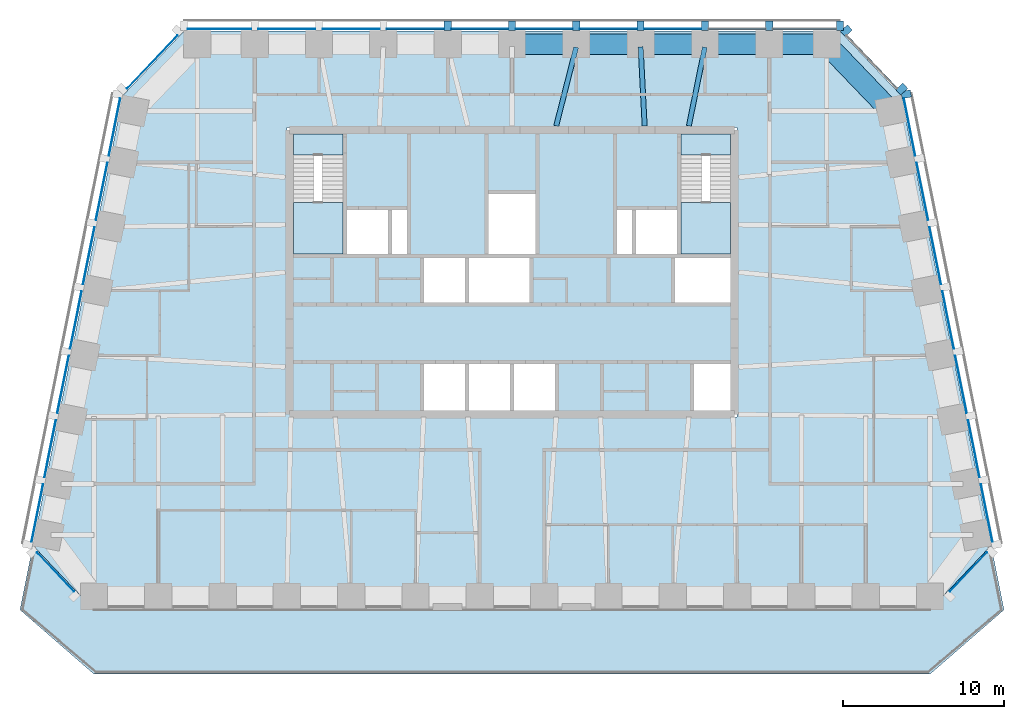
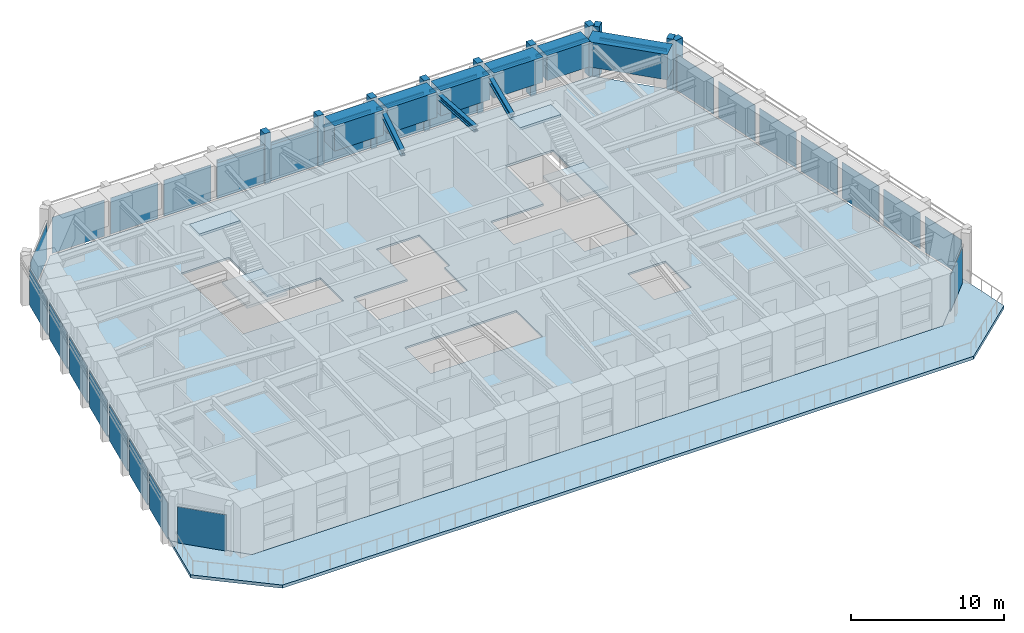
# One storey, part 3 of 11: 25 plates, 18 members, 9 beams, 6 slabs, 9 elements without a shape of their own.
"""IFC4 building model written with IfcOpenShell, lengths in metres."""

from ifc_helpers import new_model, si_unit, direction, frame, origin, origin_2d, place, context, subcontext, project, spatial, polyline, rectangle, i_section, outline, extrude, material, layer, layer_set, material_profile, profile_set, type_object, element, aggregate, save


model = new_model("IFC4")

# Units and contexts
model_context = context("Model", 3, precision=1e-05, world=origin(), true_north=direction((0.0, 1.0)))
body_context = subcontext(model_context, "Body", "Model", "MODEL_VIEW")
ifc_project = project(units=[si_unit("LENGTHUNIT", "METRE"), si_unit("AREAUNIT", "SQUARE_METRE"), si_unit("VOLUMEUNIT", "CUBIC_METRE"), si_unit("PLANEANGLEUNIT", "RADIAN"), si_unit("MASSUNIT", "GRAM", prefix="KILO")], contexts=[model_context])

# Site, building, storey
site_placement = place(None, origin())
site = spatial("IfcSite", under=ifc_project, at=site_placement, CompositionType="ELEMENT")
building_placement = place(site_placement, origin())
building = spatial("IfcBuilding", under=site, at=building_placement, Name="Isbrekke Arena Tower", CompositionType="ELEMENT")
storey_placement = place(building_placement, frame((0.0, 0.0, 284.0)))
storey = spatial("IfcBuildingStorey", under=building, at=storey_placement, Name="L66", CompositionType="ELEMENT", Elevation=284.0)

# Beams
ifc_material_1 = material(Name="Steel S355", Category="steel")
ifc_material_profile_1 = material_profile(ifc_material_1, i_section(OverallWidth=0.306884765625, OverallDepth=0.431884765625, WebThickness=0.02099609375, FlangeThickness=0.0400390625, FilletRadius=0.027099609375, at=origin_2d()), Name="HEM 400")
ifc_profile_set_1 = profile_set([ifc_material_profile_1], Name="Steel S355")
beam_type_1 = type_object("IfcBeamType", Name="B6 HEM 400", PredefinedType="BEAM", material=ifc_profile_set_1)
beam_1_placement = place(storey_placement, frame((11.993896484375, 28.9951171875, 3.634033203125), z_axis=(-0.198982177337, -0.980003108721, 0.0), x_axis=(0.980003108721, -0.198982177337, 0.0)))
element("IfcBeam", 1, at=beam_1_placement, inside=storey, type_object=beam_type_1, Name="B6 beam N-N03 L66", PredefinedType="BEAM", context=body_context, shape_type="SweptSolid", body=[
    extrude(i_section(OverallWidth=0.306884765625, OverallDepth=0.431884765625, WebThickness=0.02099609375, FlangeThickness=0.0400390625, FilletRadius=0.027099609375, at=origin_2d()), origin(), (0.0, 0.0, 1.0), 4.994873046875),
])
beam_2_placement = place(storey_placement, frame((8.00048828125, 29.017333984375, 3.634033203125), z_axis=(0.050677067868, -0.998715091902, 0.0), x_axis=(0.998715091902, 0.050677067868, 0.0)))
element("IfcBeam", 2, at=beam_2_placement, inside=storey, type_object=beam_type_1, Name="B6 beam N-N04 L66", PredefinedType="BEAM", context=body_context, shape_type="SweptSolid", body=[
    extrude(i_section(OverallWidth=0.306884765625, OverallDepth=0.431884765625, WebThickness=0.02099609375, FlangeThickness=0.0400390625, FilletRadius=0.027099609375, at=origin_2d()), origin(), (0.0, 0.0, 1.0), 4.923583984375),
])
beam_3_placement = place(storey_placement, frame((3.99072265625, 28.98828125, 3.634033203125), z_axis=(-0.246019579109, -0.969264858898, 0.0), x_axis=(0.969264858898, -0.246019579109, 0.0)))
element("IfcBeam", 3, at=beam_3_placement, inside=storey, type_object=beam_type_1, Name="B6 beam N-N05 L66", PredefinedType="BEAM", context=body_context, shape_type="SweptSolid", body=[
    extrude(i_section(OverallWidth=0.306884765625, OverallDepth=0.431884765625, WebThickness=0.02099609375, FlangeThickness=0.0400390625, FilletRadius=0.027099609375, at=origin_2d()), origin(), (0.0, 0.0, 1.0), 5.043212890625),
])

# Curtain wall, member
ifc_material_2 = material(Name="Glazed aluminium curtain wall", Category="aluminium")
curtain_wall_type = type_object("IfcCurtainWallType", Name="CWT TOWER CURTAIN WALL TOP ZONE", PredefinedType="USERDEFINED", material=ifc_material_2)
curtain_wall_1_placement = place(storey_placement, origin())
curtain_wall_1 = element("IfcCurtainWall", 4, at=curtain_wall_1_placement, inside=storey, type_object=curtain_wall_type, Name="CWT curtain wall L66-E", ObjectType="TOWER CURTAIN WALL TOP ZONE", PredefinedType="USERDEFINED")
ifc_material_3 = material(Name="Copper-clad aluminium mullion", Category="aluminium")
ifc_material_profile_2 = material_profile(ifc_material_3, rectangle(XDim=0.449951171875, YDim=0.60009765625, at=origin_2d()), Name="PIER 450X600")
ifc_profile_set_2 = profile_set([ifc_material_profile_2], Name="Copper-clad aluminium mullion")
member_type_1 = type_object("IfcMemberType", Name="CWT-M PIER MULLION 450 x 600", PredefinedType="MULLION", material=ifc_profile_set_2)
member_1_placement = place(storey_placement, frame((24.518798828125, 26.063720703125, 0.0), z_axis=(0.0, 0.0, 1.0), x_axis=(-0.196116135138, 0.980580675691, 0.0)))
member_1 = element("IfcMember", 5, at=member_1_placement, type_object=member_type_1, Name="CWT-M mullion 8", PredefinedType="MULLION", context=body_context, shape_type="SweptSolid", body=[
    extrude(rectangle(XDim=0.449951171875, YDim=0.60009765625, at=origin_2d()), origin(), (0.0, 0.0, 1.0), 4.0),
])

# Curtain wall, members
curtain_wall_2_placement = place(storey_placement, origin())
curtain_wall_2 = element("IfcCurtainWall", 6, at=curtain_wall_2_placement, inside=storey, type_object=curtain_wall_type, Name="CWT curtain wall L66-EN", ObjectType="TOWER CURTAIN WALL TOP ZONE", PredefinedType="USERDEFINED")
member_2_placement = place(storey_placement, frame((24.244384765625, 26.388671875, 0.0), z_axis=(0.0, 0.0, 1.0), x_axis=(-0.68874946192, 0.72499943359, 0.0)))
member_2 = element("IfcMember", 7, at=member_2_placement, type_object=member_type_1, Name="CWT-M mullion 1", PredefinedType="MULLION", context=body_context, shape_type="SweptSolid", body=[
    extrude(rectangle(XDim=0.449951171875, YDim=0.60009765625, at=origin_2d()), origin(), (0.0, 0.0, 1.0), 4.0),
])
member_3_placement = place(storey_placement, frame((20.795166015625, 30.019775390625, 0.0), z_axis=(0.0, 0.0, 1.0), x_axis=(-0.68874946192, 0.72499943359, 0.0)))
member_3 = element("IfcMember", 8, at=member_3_placement, type_object=member_type_1, Name="CWT-M mullion 2", PredefinedType="MULLION", context=body_context, shape_type="SweptSolid", body=[
    extrude(rectangle(XDim=0.449951171875, YDim=0.60009765625, at=origin_2d()), origin(), (0.0, 0.0, 1.0), 4.0),
])

curtain_wall_3_placement = place(storey_placement, origin())
curtain_wall_3 = element("IfcCurtainWall", 9, at=curtain_wall_3_placement, inside=storey, type_object=curtain_wall_type, Name="CWT curtain wall L66-N", ObjectType="TOWER CURTAIN WALL TOP ZONE", PredefinedType="USERDEFINED")
member_4_placement = place(storey_placement, frame((20.39990234375, 30.324951171875, 0.0), z_axis=(0.0, 0.0, 1.0), x_axis=(-1.0, 0.0, 0.0)))
member_4 = element("IfcMember", 10, at=member_4_placement, type_object=member_type_1, Name="CWT-M mullion 1", PredefinedType="MULLION", context=body_context, shape_type="SweptSolid", body=[
    extrude(rectangle(XDim=0.449951171875, YDim=0.60009765625, at=origin_2d()), origin(), (0.0, 0.0, 1.0), 4.0),
])
member_5_placement = place(storey_placement, frame((16.0, 30.324951171875, 0.0), z_axis=(0.0, 0.0, 1.0), x_axis=(-1.0, 0.0, 0.0)))
member_5 = element("IfcMember", 11, at=member_5_placement, type_object=member_type_1, Name="CWT-M mullion 2", PredefinedType="MULLION", context=body_context, shape_type="SweptSolid", body=[
    extrude(rectangle(XDim=0.449951171875, YDim=0.60009765625, at=origin_2d()), origin(), (0.0, 0.0, 1.0), 4.0),
])
member_6_placement = place(storey_placement, frame((12.0, 30.324951171875, 0.0), z_axis=(0.0, 0.0, 1.0), x_axis=(-1.0, 0.0, 0.0)))
member_6 = element("IfcMember", 12, at=member_6_placement, type_object=member_type_1, Name="CWT-M mullion 3", PredefinedType="MULLION", context=body_context, shape_type="SweptSolid", body=[
    extrude(rectangle(XDim=0.449951171875, YDim=0.60009765625, at=origin_2d()), origin(), (0.0, 0.0, 1.0), 4.0),
])
member_7_placement = place(storey_placement, frame((8.0, 30.324951171875, 0.0), z_axis=(0.0, 0.0, 1.0), x_axis=(-1.0, 0.0, 0.0)))
member_7 = element("IfcMember", 13, at=member_7_placement, type_object=member_type_1, Name="CWT-M mullion 4", PredefinedType="MULLION", context=body_context, shape_type="SweptSolid", body=[
    extrude(rectangle(XDim=0.449951171875, YDim=0.60009765625, at=origin_2d()), origin(), (0.0, 0.0, 1.0), 4.0),
])
member_8_placement = place(storey_placement, frame((4.0, 30.324951171875, 0.0), z_axis=(0.0, 0.0, 1.0), x_axis=(-1.0, 0.0, 0.0)))
member_8 = element("IfcMember", 14, at=member_8_placement, type_object=member_type_1, Name="CWT-M mullion 5", PredefinedType="MULLION", context=body_context, shape_type="SweptSolid", body=[
    extrude(rectangle(XDim=0.449951171875, YDim=0.60009765625, at=origin_2d()), origin(), (0.0, 0.0, 1.0), 4.0),
])
member_9_placement = place(storey_placement, frame((0.0, 30.324951171875, 0.0), z_axis=(0.0, 0.0, 1.0), x_axis=(-1.0, 0.0, 0.0)))
member_9 = element("IfcMember", 15, at=member_9_placement, type_object=member_type_1, Name="CWT-M mullion 6", PredefinedType="MULLION", context=body_context, shape_type="SweptSolid", body=[
    extrude(rectangle(XDim=0.449951171875, YDim=0.60009765625, at=origin_2d()), origin(), (0.0, 0.0, 1.0), 4.0),
])
member_10_placement = place(storey_placement, frame((-4.0, 30.324951171875, 0.0), z_axis=(0.0, 0.0, 1.0), x_axis=(-1.0, 0.0, 0.0)))
member_10 = element("IfcMember", 16, at=member_10_placement, type_object=member_type_1, Name="CWT-M mullion 7", PredefinedType="MULLION", context=body_context, shape_type="SweptSolid", body=[
    extrude(rectangle(XDim=0.449951171875, YDim=0.60009765625, at=origin_2d()), origin(), (0.0, 0.0, 1.0), 4.0),
])

# Member
ifc_material_4 = material(Name="Aluminium transom", Category="aluminium")
ifc_material_profile_3 = material_profile(ifc_material_4, rectangle(XDim=0.1201171875, YDim=0.199951171875, at=origin_2d()), Name="TRANSOM 120X200")
ifc_profile_set_3 = profile_set([ifc_material_profile_3], Name="Aluminium transom")
member_type_2 = type_object("IfcMemberType", Name="CWT-T TRANSOM 120 x 200", PredefinedType="USERDEFINED", material=ifc_profile_set_3)
member_11_placement = place(storey_placement, frame((23.944580078125, 26.4140625, 3.0), z_axis=(-0.688771983213, 0.724978037696, 0.0), x_axis=(-0.724978037696, -0.688771983213, 0.0)))
member_11 = element("IfcMember", 17, at=member_11_placement, type_object=member_type_2, Name="CWT-T transom 1", ObjectType="TRANSOM", PredefinedType="USERDEFINED", context=body_context, shape_type="SweptSolid", body=[
    extrude(rectangle(XDim=0.1201171875, YDim=0.199951171875, at=origin_2d()), origin(), (0.0, 0.0, 1.0), 4.558349609375),
])

aggregate(curtain_wall_2, [member_2, member_3, member_11])

member_12_placement = place(storey_placement, frame((20.175048828125, 30.125, 3.0), z_axis=(-1.0, 0.0, 0.0), x_axis=(0.0, -1.0, 0.0)))
member_12 = element("IfcMember", 18, at=member_12_placement, type_object=member_type_2, Name="CWT-T transom 1", ObjectType="TRANSOM", PredefinedType="USERDEFINED", context=body_context, shape_type="SweptSolid", body=[
    extrude(rectangle(XDim=0.1201171875, YDim=0.199951171875, at=origin_2d()), origin(), (0.0, 0.0, 1.0), 3.949951171875),
])

member_13_placement = place(storey_placement, frame((15.77490234375, 30.125, 3.0), z_axis=(-1.0, 0.0, 0.0), x_axis=(0.0, -1.0, 0.0)))
member_13 = element("IfcMember", 19, at=member_13_placement, type_object=member_type_2, Name="CWT-T transom 2", ObjectType="TRANSOM", PredefinedType="USERDEFINED", context=body_context, shape_type="SweptSolid", body=[
    extrude(rectangle(XDim=0.1201171875, YDim=0.199951171875, at=origin_2d()), origin(), (0.0, 0.0, 1.0), 3.5498046875),
])

member_14_placement = place(storey_placement, frame((11.77490234375, 30.125, 3.0), z_axis=(-1.0, 0.0, 0.0), x_axis=(0.0, -1.0, 0.0)))
member_14 = element("IfcMember", 20, at=member_14_placement, type_object=member_type_2, Name="CWT-T transom 3", ObjectType="TRANSOM", PredefinedType="USERDEFINED", context=body_context, shape_type="SweptSolid", body=[
    extrude(rectangle(XDim=0.1201171875, YDim=0.199951171875, at=origin_2d()), origin(), (0.0, 0.0, 1.0), 3.5498046875),
])

member_15_placement = place(storey_placement, frame((7.77490234375, 30.125, 3.0), z_axis=(-1.0, 0.0, 0.0), x_axis=(0.0, -1.0, 0.0)))
member_15 = element("IfcMember", 21, at=member_15_placement, type_object=member_type_2, Name="CWT-T transom 4", ObjectType="TRANSOM", PredefinedType="USERDEFINED", context=body_context, shape_type="SweptSolid", body=[
    extrude(rectangle(XDim=0.1201171875, YDim=0.199951171875, at=origin_2d()), origin(), (0.0, 0.0, 1.0), 3.5498046875),
])

member_16_placement = place(storey_placement, frame((3.77490234375, 30.125, 3.0), z_axis=(-1.0, 0.0, 0.0), x_axis=(0.0, -1.0, 0.0)))
member_16 = element("IfcMember", 22, at=member_16_placement, type_object=member_type_2, Name="CWT-T transom 5", ObjectType="TRANSOM", PredefinedType="USERDEFINED", context=body_context, shape_type="SweptSolid", body=[
    extrude(rectangle(XDim=0.1201171875, YDim=0.199951171875, at=origin_2d()), origin(), (0.0, 0.0, 1.0), 3.5498046875),
])

member_17_placement = place(storey_placement, frame((-0.22509765625, 30.125, 3.0), z_axis=(-1.0, 0.0, 0.0), x_axis=(0.0, -1.0, 0.0)))
member_17 = element("IfcMember", 23, at=member_17_placement, type_object=member_type_2, Name="CWT-T transom 6", ObjectType="TRANSOM", PredefinedType="USERDEFINED", context=body_context, shape_type="SweptSolid", body=[
    extrude(rectangle(XDim=0.1201171875, YDim=0.199951171875, at=origin_2d()), origin(), (0.0, 0.0, 1.0), 3.5498046875),
])

member_18_placement = place(storey_placement, frame((-4.22509765625, 30.125, 3.0), z_axis=(-1.0, 0.0, 0.0), x_axis=(0.0, -1.0, 0.0)))
member_18 = element("IfcMember", 24, at=member_18_placement, type_object=member_type_2, Name="CWT-T transom 7", ObjectType="TRANSOM", PredefinedType="USERDEFINED", context=body_context, shape_type="SweptSolid", body=[
    extrude(rectangle(XDim=0.1201171875, YDim=0.199951171875, at=origin_2d()), origin(), (0.0, 0.0, 1.0), 3.5498046875),
])

# Beams
ifc_material_5 = material(Name="Concrete B55 (C55/67)", Category="concrete")
ifc_material_profile_4 = material_profile(ifc_material_5, rectangle(XDim=1.300048828125, YDim=2.0, at=origin_2d()), Name="RC 1300x2000")
ifc_profile_set_4 = profile_set([ifc_material_profile_4], Name="Concrete B55 (C55/67)")
beam_type_2 = type_object("IfcBeamType", Name="SB4 RC 1300 x 2000", PredefinedType="SPANDREL", material=ifc_profile_set_4)
beam_4_placement = place(storey_placement, frame((23.448974609375, 25.137451171875, 3.0), z_axis=(-0.692339547635, 0.721571861134, 0.0), x_axis=(-0.721571861134, -0.692339547635, 0.0)))
element("IfcBeam", 25, at=beam_4_placement, inside=storey, type_object=beam_type_2, Name="SB4 spandrel E08-N01 L66", PredefinedType="SPANDREL", context=body_context, shape_type="SweptSolid", body=[
    extrude(rectangle(XDim=1.300048828125, YDim=2.0, at=origin_2d()), origin(), (0.0, 0.0, 1.0), 5.4453125),
])
beam_5_placement = place(storey_placement, frame((19.425048828125, 29.175048828125, 3.0), z_axis=(-1.0, 0.0, 0.0), x_axis=(0.0, -1.0, 0.0)))
element("IfcBeam", 26, at=beam_5_placement, inside=storey, type_object=beam_type_2, Name="SB4 spandrel N01-N02 L66", PredefinedType="SPANDREL", context=body_context, shape_type="SweptSolid", body=[
    extrude(rectangle(XDim=1.300048828125, YDim=2.0, at=origin_2d()), origin(), (0.0, 0.0, 1.0), 3.275146484375),
])
for number, where, z_axis, x_axis, name in (
    (27, (15.85009765625, 29.175048828125, 3.0), (-1.0, 0.0, 0.0), (0.0, -1.0, 0.0), "SB4 spandrel N02-N03 L66"),
    (28, (11.85009765625, 29.175048828125, 3.0), (-1.0, 0.0, 0.0), (0.0, -1.0, 0.0), "SB4 spandrel N03-N04 L66"),
    (29, (7.85009765625, 29.175048828125, 3.0), (-1.0, 0.0, 0.0), (0.0, -1.0, 0.0), "SB4 spandrel N04-N05 L66"),
    (30, (3.85009765625, 29.175048828125, 3.0), (-1.0, 0.0, 0.0), (0.0, -1.0, 0.0), "SB4 spandrel N05-N06 L66"),
):
    element("IfcBeam", number, at=place(storey_placement, frame(where, z_axis=z_axis, x_axis=x_axis)), inside=storey, type_object=beam_type_2, Name=name, PredefinedType="SPANDREL", context=body_context, shape_type="SweptSolid", body=[
        extrude(rectangle(XDim=1.300048828125, YDim=2.0, at=origin_2d()), origin(), (0.0, 0.0, 1.0), 3.7001953125),
    ])

# Curtain wall, plate
curtain_wall_4_placement = place(storey_placement, origin())
curtain_wall_4 = element("IfcCurtainWall", 31, at=curtain_wall_4_placement, inside=storey, type_object=curtain_wall_type, Name="CWT curtain wall L66-SE", ObjectType="TOWER CURTAIN WALL TOP ZONE", PredefinedType="USERDEFINED")
ifc_material_6 = material(Name="Triple-glazed clear glass unit", Category="glass")
ifc_layer_1 = layer(ifc_material_6, 0.031982421875)
ifc_layer_set_1 = layer_set([ifc_layer_1], Name="CWT-P VISION PANEL")
plate_type = type_object("IfcPlateType", Name="CWT-P VISION PANEL", PredefinedType="CURTAIN_PANEL", material=ifc_layer_set_1)
plate_1_placement = place(storey_placement, frame((28.383056640625, -3.63671875, 0.02001953125), z_axis=(0.0, 0.0, 1.0), x_axis=(0.68874946192, 0.72499943359, 0.0)))
plate_1 = element("IfcPlate", 32, at=plate_1_placement, type_object=plate_type, Name="CWT-P panel 1", PredefinedType="CURTAIN_PANEL", context=body_context, shape_type="SweptSolid", body=[
    extrude(rectangle(XDim=3.34765625, YDim=0.031982421875, at=origin_2d()), origin(), (0.0, 0.0, 1.0), 2.8798828125),
])
aggregate(curtain_wall_4, [plate_1])

# Plate
plate_2_placement = place(storey_placement, frame((29.5224609375, 0.0244140625, 0.02001953125), z_axis=(0.0, 0.0, 1.0), x_axis=(-0.196116135138, 0.980580675691, 0.0)))
plate_2 = element("IfcPlate", 33, at=plate_2_placement, type_object=plate_type, Name="CWT-P panel 1", PredefinedType="CURTAIN_PANEL", context=body_context, shape_type="SweptSolid", body=[
    extrude(rectangle(XDim=3.629150390625, YDim=0.031982421875, at=origin_2d()), origin(), (0.0, 0.0, 1.0), 2.8798828125),
])

plate_3_placement = place(storey_placement, frame((28.72265625, 4.0244140625, 0.02001953125), z_axis=(0.0, 0.0, 1.0), x_axis=(-0.196116135138, 0.980580675691, 0.0)))
plate_3 = element("IfcPlate", 34, at=plate_3_placement, type_object=plate_type, Name="CWT-P panel 2", PredefinedType="CURTAIN_PANEL", context=body_context, shape_type="SweptSolid", body=[
    extrude(rectangle(XDim=3.629150390625, YDim=0.031982421875, at=origin_2d()), origin(), (0.0, 0.0, 1.0), 2.8798828125),
])

plate_4_placement = place(storey_placement, frame((27.922607421875, 8.0244140625, 0.02001953125), z_axis=(0.0, 0.0, 1.0), x_axis=(-0.196116135138, 0.980580675691, 0.0)))
plate_4 = element("IfcPlate", 35, at=plate_4_placement, type_object=plate_type, Name="CWT-P panel 3", PredefinedType="CURTAIN_PANEL", context=body_context, shape_type="SweptSolid", body=[
    extrude(rectangle(XDim=3.629150390625, YDim=0.031982421875, at=origin_2d()), origin(), (0.0, 0.0, 1.0), 2.8798828125),
])

plate_5_placement = place(storey_placement, frame((27.12255859375, 12.0244140625, 0.02001953125), z_axis=(0.0, 0.0, 1.0), x_axis=(-0.196116135138, 0.980580675691, 0.0)))
plate_5 = element("IfcPlate", 36, at=plate_5_placement, type_object=plate_type, Name="CWT-P panel 4", PredefinedType="CURTAIN_PANEL", context=body_context, shape_type="SweptSolid", body=[
    extrude(rectangle(XDim=3.629150390625, YDim=0.031982421875, at=origin_2d()), origin(), (0.0, 0.0, 1.0), 2.8798828125),
])

plate_6_placement = place(storey_placement, frame((26.322509765625, 16.0244140625, 0.02001953125), z_axis=(0.0, 0.0, 1.0), x_axis=(-0.196116135138, 0.980580675691, 0.0)))
plate_6 = element("IfcPlate", 37, at=plate_6_placement, type_object=plate_type, Name="CWT-P panel 5", PredefinedType="CURTAIN_PANEL", context=body_context, shape_type="SweptSolid", body=[
    extrude(rectangle(XDim=3.629150390625, YDim=0.031982421875, at=origin_2d()), origin(), (0.0, 0.0, 1.0), 2.8798828125),
])

plate_7_placement = place(storey_placement, frame((25.5224609375, 20.0244140625, 0.02001953125), z_axis=(0.0, 0.0, 1.0), x_axis=(-0.196116135138, 0.980580675691, 0.0)))
plate_7 = element("IfcPlate", 38, at=plate_7_placement, type_object=plate_type, Name="CWT-P panel 6", PredefinedType="CURTAIN_PANEL", context=body_context, shape_type="SweptSolid", body=[
    extrude(rectangle(XDim=3.629150390625, YDim=0.031982421875, at=origin_2d()), origin(), (0.0, 0.0, 1.0), 2.8798828125),
])

plate_8_placement = place(storey_placement, frame((24.72265625, 24.0244140625, 0.02001953125), z_axis=(0.0, 0.0, 1.0), x_axis=(-0.196116135138, 0.980580675691, 0.0)))
plate_8 = element("IfcPlate", 39, at=plate_8_placement, type_object=plate_type, Name="CWT-P panel 7", PredefinedType="CURTAIN_PANEL", context=body_context, shape_type="SweptSolid", body=[
    extrude(rectangle(XDim=3.629150390625, YDim=0.031982421875, at=origin_2d()), origin(), (0.0, 0.0, 1.0), 2.8798828125),
])

aggregate(curtain_wall_1, [member_1, plate_2, plate_3, plate_4, plate_5, plate_6, plate_7, plate_8])

plate_9_placement = place(storey_placement, frame((10.0, 30.125, 0.02001953125), z_axis=(0.0, 0.0, 1.0), x_axis=(-1.0, 0.0, 0.0)))
plate_9 = element("IfcPlate", 40, at=plate_9_placement, type_object=plate_type, Name="CWT-P panel 3", PredefinedType="CURTAIN_PANEL", context=body_context, shape_type="SweptSolid", body=[
    extrude(rectangle(XDim=3.550048828125, YDim=0.031982421875, at=origin_2d()), origin(), (0.0, 0.0, 1.0), 2.8798828125),
])

plate_10_placement = place(storey_placement, frame((6.0, 30.125, 0.02001953125), z_axis=(0.0, 0.0, 1.0), x_axis=(-1.0, 0.0, 0.0)))
plate_10 = element("IfcPlate", 41, at=plate_10_placement, type_object=plate_type, Name="CWT-P panel 4", PredefinedType="CURTAIN_PANEL", context=body_context, shape_type="SweptSolid", body=[
    extrude(rectangle(XDim=3.550048828125, YDim=0.031982421875, at=origin_2d()), origin(), (0.0, 0.0, 1.0), 2.8798828125),
])

plate_11_placement = place(storey_placement, frame((2.0, 30.125, 0.02001953125), z_axis=(0.0, 0.0, 1.0), x_axis=(-1.0, 0.0, 0.0)))
plate_11 = element("IfcPlate", 42, at=plate_11_placement, type_object=plate_type, Name="CWT-P panel 5", PredefinedType="CURTAIN_PANEL", context=body_context, shape_type="SweptSolid", body=[
    extrude(rectangle(XDim=3.550048828125, YDim=0.031982421875, at=origin_2d()), origin(), (0.0, 0.0, 1.0), 2.8798828125),
])

plate_12_placement = place(storey_placement, frame((-2.0, 30.125, 0.02001953125), z_axis=(0.0, 0.0, 1.0), x_axis=(-1.0, 0.0, 0.0)))
plate_12 = element("IfcPlate", 43, at=plate_12_placement, type_object=plate_type, Name="CWT-P panel 6", PredefinedType="CURTAIN_PANEL", context=body_context, shape_type="SweptSolid", body=[
    extrude(rectangle(XDim=3.550048828125, YDim=0.031982421875, at=origin_2d()), origin(), (0.0, 0.0, 1.0), 2.8798828125),
])

plate_13_placement = place(storey_placement, frame((-6.0, 30.125, 0.02001953125), z_axis=(0.0, 0.0, 1.0), x_axis=(-1.0, 0.0, 0.0)))
plate_13 = element("IfcPlate", 44, at=plate_13_placement, type_object=plate_type, Name="CWT-P panel 7", PredefinedType="CURTAIN_PANEL", context=body_context, shape_type="SweptSolid", body=[
    extrude(rectangle(XDim=3.550048828125, YDim=0.031982421875, at=origin_2d()), origin(), (0.0, 0.0, 1.0), 2.8798828125),
])

plate_14_placement = place(storey_placement, frame((-10.0, 30.125, 0.02001953125), z_axis=(0.0, 0.0, 1.0), x_axis=(-1.0, 0.0, 0.0)))
plate_14 = element("IfcPlate", 45, at=plate_14_placement, type_object=plate_type, Name="CWT-P panel 8", PredefinedType="CURTAIN_PANEL", context=body_context, shape_type="SweptSolid", body=[
    extrude(rectangle(XDim=3.550048828125, YDim=0.031982421875, at=origin_2d()), origin(), (0.0, 0.0, 1.0), 2.8798828125),
])

plate_15_placement = place(storey_placement, frame((-14.0, 30.125, 0.02001953125), z_axis=(0.0, 0.0, 1.0), x_axis=(-1.0, 0.0, 0.0)))
plate_15 = element("IfcPlate", 46, at=plate_15_placement, type_object=plate_type, Name="CWT-P panel 9", PredefinedType="CURTAIN_PANEL", context=body_context, shape_type="SweptSolid", body=[
    extrude(rectangle(XDim=3.550048828125, YDim=0.031982421875, at=origin_2d()), origin(), (0.0, 0.0, 1.0), 2.8798828125),
])

plate_16_placement = place(storey_placement, frame((-18.199951171875, 30.125, 0.02001953125), z_axis=(0.0, 0.0, 1.0), x_axis=(-1.0, 0.0, 0.0)))
plate_16 = element("IfcPlate", 47, at=plate_16_placement, type_object=plate_type, Name="CWT-P panel 10", PredefinedType="CURTAIN_PANEL", context=body_context, shape_type="SweptSolid", body=[
    extrude(rectangle(XDim=3.949951171875, YDim=0.031982421875, at=origin_2d()), origin(), (0.0, 0.0, 1.0), 2.8798828125),
])

aggregate(curtain_wall_3, [member_4, member_5, member_6, member_7, member_8, member_9, member_10, member_12, member_13, member_14, plate_9, member_15, plate_10, member_16, plate_11, member_17, plate_12, member_18, plate_13, plate_14, plate_15, plate_16])

# Curtain wall, plate
curtain_wall_5_placement = place(storey_placement, origin())
curtain_wall_5 = element("IfcCurtainWall", 48, at=curtain_wall_5_placement, inside=storey, type_object=curtain_wall_type, Name="CWT curtain wall L66-NW", ObjectType="TOWER CURTAIN WALL TOP ZONE", PredefinedType="USERDEFINED")
plate_17_placement = place(storey_placement, frame((-22.37451171875, 28.066650390625, 0.02001953125), z_axis=(0.0, 0.0, 1.0), x_axis=(-0.68874946192, -0.72499943359, 0.0)))
plate_17 = element("IfcPlate", 49, at=plate_17_placement, type_object=plate_type, Name="CWT-P panel 1", PredefinedType="CURTAIN_PANEL", context=body_context, shape_type="SweptSolid", body=[
    extrude(rectangle(XDim=4.557373046875, YDim=0.031982421875, at=origin_2d()), origin(), (0.0, 0.0, 1.0), 2.8798828125),
])
aggregate(curtain_wall_5, [plate_17])

# Curtain wall, plates
curtain_wall_6_placement = place(storey_placement, origin())
curtain_wall_6 = element("IfcCurtainWall", 50, at=curtain_wall_6_placement, inside=storey, type_object=curtain_wall_type, Name="CWT curtain wall L66-W", ObjectType="TOWER CURTAIN WALL TOP ZONE", PredefinedType="USERDEFINED")
plate_18_placement = place(storey_placement, frame((-24.72265625, 24.0244140625, 0.02001953125), z_axis=(0.0, 0.0, 1.0), x_axis=(-0.196116135138, -0.980580675691, 0.0)))
plate_18 = element("IfcPlate", 51, at=plate_18_placement, type_object=plate_type, Name="CWT-P panel 1", PredefinedType="CURTAIN_PANEL", context=body_context, shape_type="SweptSolid", body=[
    extrude(rectangle(XDim=3.629150390625, YDim=0.031982421875, at=origin_2d()), origin(), (0.0, 0.0, 1.0), 2.8798828125),
])
plate_19_placement = place(storey_placement, frame((-25.5224609375, 20.0244140625, 0.02001953125), z_axis=(0.0, 0.0, 1.0), x_axis=(-0.196116135138, -0.980580675691, 0.0)))
plate_19 = element("IfcPlate", 52, at=plate_19_placement, type_object=plate_type, Name="CWT-P panel 2", PredefinedType="CURTAIN_PANEL", context=body_context, shape_type="SweptSolid", body=[
    extrude(rectangle(XDim=3.629150390625, YDim=0.031982421875, at=origin_2d()), origin(), (0.0, 0.0, 1.0), 2.8798828125),
])
plate_20_placement = place(storey_placement, frame((-26.322509765625, 16.0244140625, 0.02001953125), z_axis=(0.0, 0.0, 1.0), x_axis=(-0.196116135138, -0.980580675691, 0.0)))
plate_20 = element("IfcPlate", 53, at=plate_20_placement, type_object=plate_type, Name="CWT-P panel 3", PredefinedType="CURTAIN_PANEL", context=body_context, shape_type="SweptSolid", body=[
    extrude(rectangle(XDim=3.629150390625, YDim=0.031982421875, at=origin_2d()), origin(), (0.0, 0.0, 1.0), 2.8798828125),
])
plate_21_placement = place(storey_placement, frame((-27.12255859375, 12.0244140625, 0.02001953125), z_axis=(0.0, 0.0, 1.0), x_axis=(-0.196116135138, -0.980580675691, 0.0)))
plate_21 = element("IfcPlate", 54, at=plate_21_placement, type_object=plate_type, Name="CWT-P panel 4", PredefinedType="CURTAIN_PANEL", context=body_context, shape_type="SweptSolid", body=[
    extrude(rectangle(XDim=3.629150390625, YDim=0.031982421875, at=origin_2d()), origin(), (0.0, 0.0, 1.0), 2.8798828125),
])
plate_22_placement = place(storey_placement, frame((-27.922607421875, 8.0244140625, 0.02001953125), z_axis=(0.0, 0.0, 1.0), x_axis=(-0.196116135138, -0.980580675691, 0.0)))
plate_22 = element("IfcPlate", 55, at=plate_22_placement, type_object=plate_type, Name="CWT-P panel 5", PredefinedType="CURTAIN_PANEL", context=body_context, shape_type="SweptSolid", body=[
    extrude(rectangle(XDim=3.629150390625, YDim=0.031982421875, at=origin_2d()), origin(), (0.0, 0.0, 1.0), 2.8798828125),
])
plate_23_placement = place(storey_placement, frame((-28.72265625, 4.0244140625, 0.02001953125), z_axis=(0.0, 0.0, 1.0), x_axis=(-0.196116135138, -0.980580675691, 0.0)))
plate_23 = element("IfcPlate", 56, at=plate_23_placement, type_object=plate_type, Name="CWT-P panel 6", PredefinedType="CURTAIN_PANEL", context=body_context, shape_type="SweptSolid", body=[
    extrude(rectangle(XDim=3.629150390625, YDim=0.031982421875, at=origin_2d()), origin(), (0.0, 0.0, 1.0), 2.8798828125),
])
plate_24_placement = place(storey_placement, frame((-29.5224609375, 0.0244140625, 0.02001953125), z_axis=(0.0, 0.0, 1.0), x_axis=(-0.196116135138, -0.980580675691, 0.0)))
plate_24 = element("IfcPlate", 57, at=plate_24_placement, type_object=plate_type, Name="CWT-P panel 7", PredefinedType="CURTAIN_PANEL", context=body_context, shape_type="SweptSolid", body=[
    extrude(rectangle(XDim=3.629150390625, YDim=0.031982421875, at=origin_2d()), origin(), (0.0, 0.0, 1.0), 2.8798828125),
])
aggregate(curtain_wall_6, [plate_18, plate_19, plate_20, plate_21, plate_22, plate_23, plate_24])

# Curtain wall, plate
curtain_wall_7_placement = place(storey_placement, origin())
curtain_wall_7 = element("IfcCurtainWall", 58, at=curtain_wall_7_placement, inside=storey, type_object=curtain_wall_type, Name="CWT curtain wall L66-WS", ObjectType="TOWER CURTAIN WALL TOP ZONE", PredefinedType="USERDEFINED")
plate_25_placement = place(storey_placement, frame((-28.382568359375, -3.63720703125, 0.02001953125), z_axis=(0.0, 0.0, 1.0), x_axis=(0.68874946192, -0.72499943359, 0.0)))
plate_25 = element("IfcPlate", 59, at=plate_25_placement, type_object=plate_type, Name="CWT-P panel 1", PredefinedType="CURTAIN_PANEL", context=body_context, shape_type="SweptSolid", body=[
    extrude(rectangle(XDim=3.3466796875, YDim=0.031982421875, at=origin_2d()), origin(), (0.0, 0.0, 1.0), 2.8798828125),
])
aggregate(curtain_wall_7, [plate_25])

# Slab
ifc_material_7 = material(Name="Concrete B35 (C35/45)", Category="concrete")
ifc_layer_2 = layer(ifc_material_7, 0.14990234375)
ifc_layer_set_2 = layer_set([ifc_layer_2], Name="FS1 COMPOSITE FLOOR 150")
slab_type_1 = type_object("IfcSlabType", Name="FS1 COMPOSITE FLOOR 150", PredefinedType="FLOOR", material=ifc_layer_set_2)
slab_1_placement = place(storey_placement, frame((0.0, 0.0, -0.14990234375)))
element("IfcSlab", 60, at=slab_1_placement, inside=storey, type_object=slab_type_1, Name="FS1 floor slab L66", PredefinedType="FLOOR", context=body_context, shape_type="SweptSolid", body=[
    extrude(outline(polyline([(-26.0, -6.0), (26.0, -6.0), (29.800048828125, -2.0), (24.199951171875, 26.0), (20.39990234375, 30.0), (-20.39990234375, 30.0), (-24.199951171875, 26.0), (-29.800048828125, -2.0), (-26.0, -6.0)]), holes=[polyline([(2.800048828125, 9.39990234375), (2.800048828125, 6.0), (-5.60009765625, 6.0), (-5.60009765625, 9.39990234375), (2.800048828125, 9.39990234375)]), polyline([(11.199951171875, 6.0), (11.199951171875, 9.39990234375), (14.0, 9.39990234375), (14.0, 6.0), (11.199951171875, 6.0)]), polyline([(-5.60009765625, 13.0), (-5.60009765625, 16.0), (-1.60009765625, 16.0), (-1.60009765625, 20.0), (1.60009765625, 20.0), (1.60009765625, 16.0), (1.199951171875, 16.0), (1.199951171875, 13.0), (-5.60009765625, 13.0)]), polyline([(14.0, 13.0), (10.0, 13.0), (10.0, 16.0), (6.39990234375, 16.0), (6.39990234375, 19.0), (10.39990234375, 19.0), (10.39990234375, 24.0), (14.0, 24.0), (14.0, 13.0)]), polyline([(-6.39990234375, 19.0), (-6.39990234375, 16.0), (-14.0, 16.0), (-14.0, 24.0), (-10.39990234375, 24.0), (-10.39990234375, 19.0), (-6.39990234375, 19.0)])]), origin(), (0.0, 0.0, 1.0), 0.14990234375),
])

# Stair, slabs
ifc_material_8 = material(Name="Concrete B45 (C45/55) precast", Category="concrete")
stair_type = type_object("IfcStairType", Name="ST40 STAIR 1300 WIDE, 24 RISERS 167", PredefinedType="HALF_TURN_STAIR", material=ifc_material_8)
stair_1_placement = place(storey_placement, origin())
stair_1 = element("IfcStair", 61, at=stair_1_placement, inside=storey, type_object=stair_type, Name="ST1 stair L66", PredefinedType="HALF_TURN_STAIR")
ifc_material_9 = material(Name="Concrete B35 (C35/45)", Category="concrete")
ifc_layer_3 = layer(ifc_material_9, 0.199951171875)
ifc_layer_set_3 = layer_set([ifc_layer_3], Name="SL1 STAIR LANDING 200")
slab_type_2 = type_object("IfcSlabType", Name="SL1 STAIR LANDING 200", PredefinedType="LANDING", material=ifc_layer_set_3)
slab_2_placement = place(storey_placement, frame((0.0, 0.0, 1.800048828125)))
slab_2 = element("IfcSlab", 62, at=slab_2_placement, type_object=slab_type_2, Name="ST1 landing 1", PredefinedType="LANDING", context=body_context, shape_type="SweptSolid", body=[
    extrude(outline(polyline([(-13.60009765625, 16.125), (-10.52490234375, 16.125), (-10.52490234375, 19.330078125), (-13.60009765625, 19.330078125), (-13.60009765625, 16.125)])), origin(), (0.0, 0.0, 1.0), 0.199951171875),
])
slab_3_placement = place(storey_placement, frame((0.0, 0.0, 3.800048828125)))
slab_3 = element("IfcSlab", 63, at=slab_3_placement, type_object=slab_type_2, Name="ST1 landing 2", PredefinedType="LANDING", context=body_context, shape_type="SweptSolid", body=[
    extrude(outline(polyline([(-13.60009765625, 22.300048828125), (-10.52490234375, 22.300048828125), (-10.52490234375, 23.60009765625), (-13.60009765625, 23.60009765625), (-13.60009765625, 22.300048828125)])), origin(), (0.0, 0.0, 1.0), 0.199951171875),
])
aggregate(stair_1, [slab_2, slab_3])

stair_2_placement = place(storey_placement, origin())
stair_2 = element("IfcStair", 64, at=stair_2_placement, inside=storey, type_object=stair_type, Name="ST2 stair L66", PredefinedType="HALF_TURN_STAIR")
slab_4_placement = place(storey_placement, frame((0.0, 0.0, 1.800048828125)))
slab_4 = element("IfcSlab", 65, at=slab_4_placement, type_object=slab_type_2, Name="ST2 landing 1", PredefinedType="LANDING", context=body_context, shape_type="SweptSolid", body=[
    extrude(outline(polyline([(10.52490234375, 16.125), (13.60009765625, 16.125), (13.60009765625, 19.330078125), (10.52490234375, 19.330078125), (10.52490234375, 16.125)])), origin(), (0.0, 0.0, 1.0), 0.199951171875),
])
slab_5_placement = place(storey_placement, frame((0.0, 0.0, 3.800048828125)))
slab_5 = element("IfcSlab", 66, at=slab_5_placement, type_object=slab_type_2, Name="ST2 landing 2", PredefinedType="LANDING", context=body_context, shape_type="SweptSolid", body=[
    extrude(outline(polyline([(10.52490234375, 22.300048828125), (13.60009765625, 22.300048828125), (13.60009765625, 23.60009765625), (10.52490234375, 23.60009765625), (10.52490234375, 22.300048828125)])), origin(), (0.0, 0.0, 1.0), 0.199951171875),
])
aggregate(stair_2, [slab_4, slab_5])

# Slab
ifc_material_10 = material(Name="Concrete B35 (C35/45)", Category="concrete")
ifc_layer_4 = layer(ifc_material_10, 0.25)
ifc_layer_set_4 = layer_set([ifc_layer_4], Name="TS1 TERRACE SLAB 250")
slab_type_3 = type_object("IfcSlabType", Name="TS1 TERRACE SLAB 250", PredefinedType="FLOOR", material=ifc_layer_set_4)
slab_6_placement = place(storey_placement, frame((0.0, 0.0, -0.25)))
element("IfcSlab", 67, at=slab_6_placement, inside=storey, type_object=slab_type_3, Name="TS1 terrace slab L66", PredefinedType="FLOOR", context=body_context, shape_type="SweptSolid", body=[
    extrude(outline(polyline([(-26.0, -10.0), (26.0, -10.0), (30.60009765625, -6.0), (29.800048828125, -2.0), (26.0, -6.0), (-26.0, -6.0), (-29.800048828125, -2.0), (-30.60009765625, -6.0), (-26.0, -10.0)])), origin(), (0.0, 0.0, 1.0), 0.25),
])

save(model, "model.ifc")
